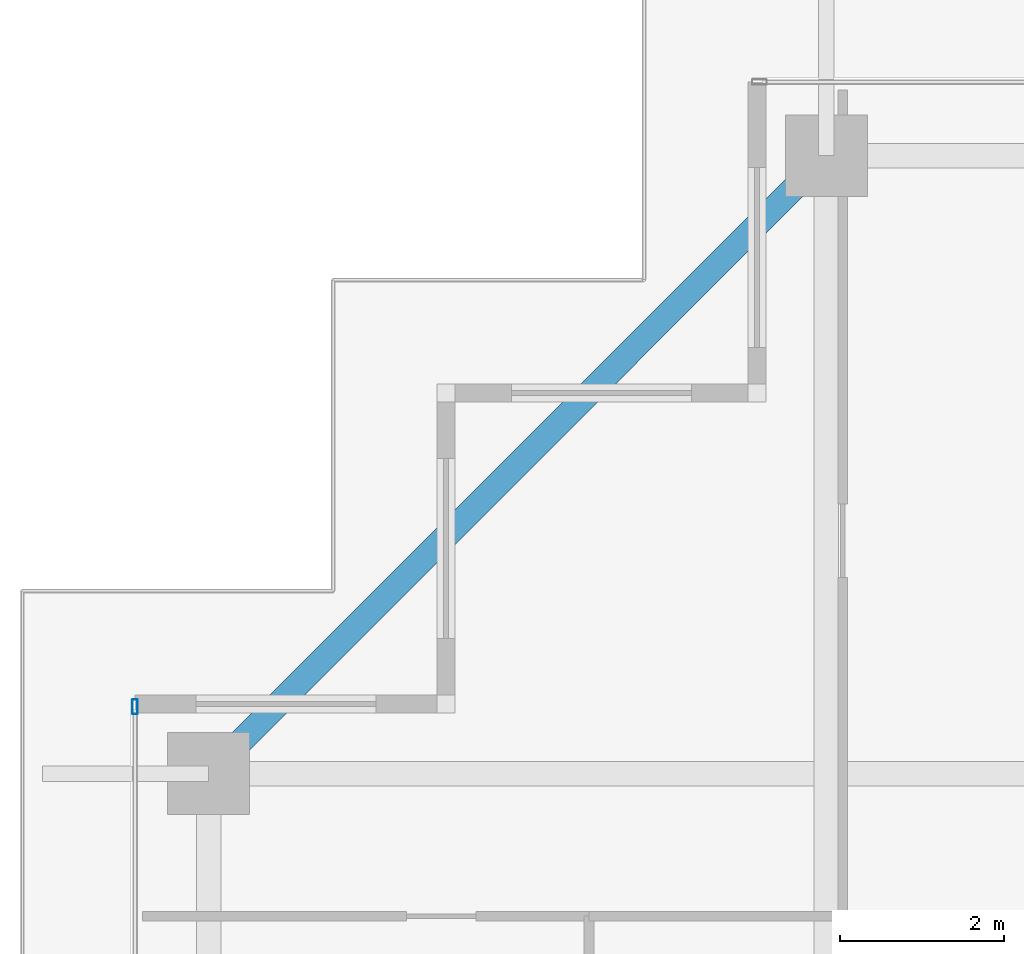
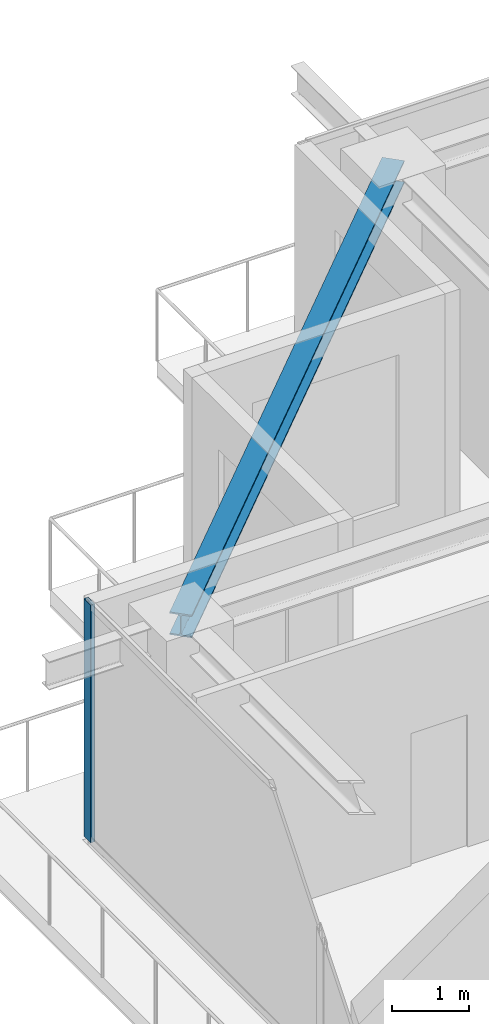
# One storey, part 21 of 42: 1 beam, 1 member, 1 element without a shape of its own.
"""IFC4 building model written with IfcOpenShell, lengths in metres."""

from ifc_helpers import new_model, si_unit, direction, frame, origin, origin_2d, place, context, subcontext, project, spatial, hollow_rectangle, i_section, extrude, source, transform, mapped, material, layer, layer_set, material_profile, profile_set, type_object, element, aggregate, save


model = new_model("IFC4")

# Units and contexts
model_context = context("Model", 3, precision=1e-05, world=origin(), true_north=direction((0.0, 1.0)))
body_context = subcontext(model_context, "Body", "Model", "MODEL_VIEW")
ifc_project = project(units=[si_unit("LENGTHUNIT", "METRE"), si_unit("AREAUNIT", "SQUARE_METRE"), si_unit("VOLUMEUNIT", "CUBIC_METRE"), si_unit("PLANEANGLEUNIT", "RADIAN"), si_unit("MASSUNIT", "GRAM", prefix="KILO")], contexts=[model_context])

# Site, building, storey
site_placement = place(None, origin())
site = spatial("IfcSite", under=ifc_project, at=site_placement, CompositionType="ELEMENT")
building_placement = place(site_placement, origin())
building = spatial("IfcBuilding", under=site, at=building_placement, Name="Serunith Strait Residences", CompositionType="ELEMENT")
storey_placement = place(building_placement, frame((0.0, 0.0, 325.85009765625)))
storey = spatial("IfcBuildingStorey", under=building, at=storey_placement, Name="L81", CompositionType="ELEMENT", Elevation=325.85009765625)

# Beam
ifc_material_1 = material(Name="Steel S355J2", Category="steel")
ifc_material_profile_1 = material_profile(ifc_material_1, i_section(OverallWidth=0.300048828125, OverallDepth=0.360107421875, WebThickness=0.012451171875, FlangeThickness=0.0224609375, FilletRadius=0.027099609375, at=origin_2d()), Name="HEB 360")
ifc_profile_set_1 = profile_set([ifc_material_profile_1], Name="Steel S355J2")
beam_type = type_object("IfcBeamType", Name="BM-HEB360", PredefinedType="BEAM", material=ifc_profile_set_1)
shared_shape_1 = source(origin(), body_context, "Body", "SweptSolid", [
    extrude(i_section(OverallWidth=0.300048828125, OverallDepth=0.360107421875, WebThickness=0.012451171875, FlangeThickness=0.0224609375, FilletRadius=0.027099609375, at=origin_2d()), origin(), (0.0, 0.0, 1.0), 10.67724609375),
])
beam_placement = place(storey_placement, frame((17.64990234375, 47.10009765625, 3.576904296875), z_axis=(-0.707095348302, -0.707118213887, 0.0), x_axis=(0.707118213887, -0.707095348302, 0.0)))
element("IfcBeam", 1, at=beam_placement, inside=storey, type_object=beam_type, Name="L81 Perimeter Ring Beam 12", PredefinedType="BEAM", context=body_context, shape_type="MappedRepresentation", body=[
    mapped(shared_shape_1, transform((0.0, 0.0, 0.0), scale=1.0)),
])

# Curtain wall, member
ifc_material_2 = material(Name="Brushed Stainless-Silver Aluminium", Category="aluminium")
ifc_layer = layer(ifc_material_2, 0.199951171875, Name="Brushed Stainless-Silver Aluminium")
ifc_layer_set = layer_set([ifc_layer], Name="Brushed Stainless-Silver Aluminium")
curtain_wall_type = type_object("IfcCurtainWallType", Name="CW-SYS5", PredefinedType="NOTDEFINED", material=ifc_layer_set)
curtain_wall_placement = place(storey_placement, origin())
curtain_wall = element("IfcCurtainWall", 2, at=curtain_wall_placement, inside=storey, type_object=curtain_wall_type, Name="L81 W Unitised Fritted Curtain Wall", PredefinedType="NOTDEFINED")
ifc_material_profile_2 = material_profile(ifc_material_2, hollow_rectangle(XDim=0.06494140625, YDim=0.179931640625, WallThickness=0.00341796875, InnerFilletRadius=0.00537109375, OuterFilletRadius=0.0087890625, at=origin_2d()), Name="ALU 180x65x3.5")
ifc_profile_set_2 = profile_set([ifc_material_profile_2], Name="Brushed Stainless-Silver Aluminium")
member_type = type_object("IfcMemberType", Name="CW-SYS5-MULL", PredefinedType="MULLION", material=ifc_profile_set_2)
shared_shape_2 = source(origin(), body_context, "Body", "SweptSolid", [
    extrude(hollow_rectangle(XDim=0.06494140625, YDim=0.179931640625, WallThickness=0.00341796875, InnerFilletRadius=0.00537109375, OuterFilletRadius=0.0087890625, at=origin_2d()), origin(), (0.0, 0.0, 1.0), 3.77490234375),
])
member_placement = place(storey_placement, frame((9.199951171875, 40.367431640625, 0.0), z_axis=(0.0, 0.0, 1.0), x_axis=(1.0, 0.0, 0.0)))
member = element("IfcMember", 3, at=member_placement, type_object=member_type, Name="CW-5 mullion 1", PredefinedType="MULLION", context=body_context, shape_type="MappedRepresentation", body=[
    mapped(shared_shape_2, transform((0.0, 0.0, 0.0), scale=1.0)),
])
aggregate(curtain_wall, [member])

save(model, "model.ifc")
